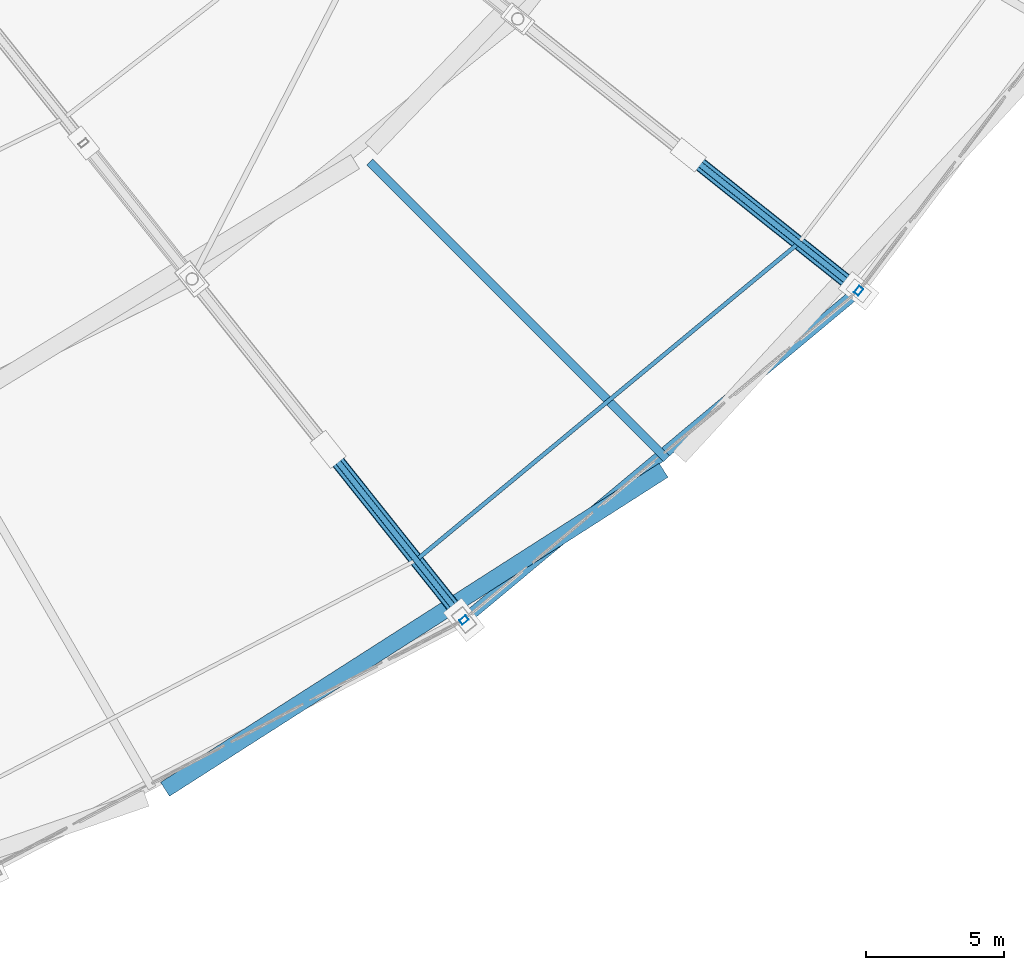
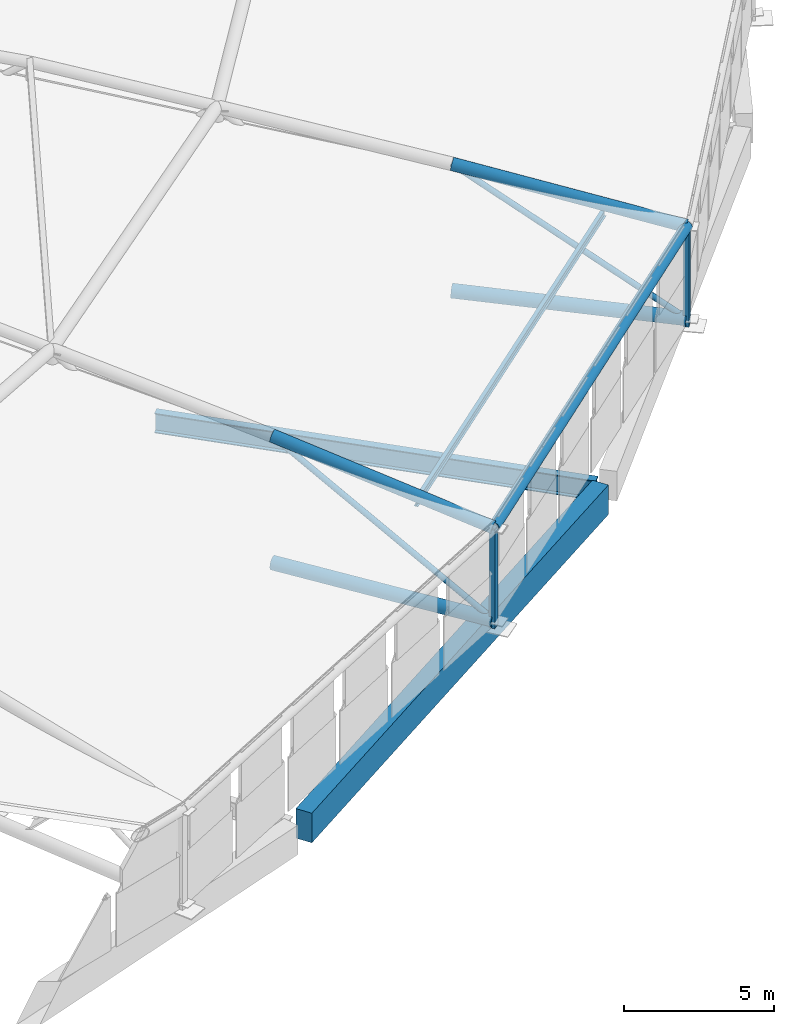
# One storey, part 60 of 108: 10 members, 2 beams.
"""IFC4 building model written with IfcOpenShell, lengths in metres."""

from ifc_helpers import new_model, si_unit, direction, frame, origin, origin_2d, place, context, subcontext, project, spatial, rectangle, hollow_rectangle, hollow_circle, i_section, extrude, material, material_profile, profile_set, type_object, element, save


model = new_model("IFC4")

# Units and contexts
model_context = context("Model", 3, precision=1e-05, world=origin(), true_north=direction((0.0, 1.0)))
body_context = subcontext(model_context, "Body", "Model", "MODEL_VIEW")
ifc_project = project(units=[si_unit("LENGTHUNIT", "METRE"), si_unit("AREAUNIT", "SQUARE_METRE"), si_unit("VOLUMEUNIT", "CUBIC_METRE"), si_unit("PLANEANGLEUNIT", "RADIAN"), si_unit("MASSUNIT", "GRAM", prefix="KILO")], contexts=[model_context])

# Site, building, storey
site_placement = place(None, origin())
site = spatial("IfcSite", under=ifc_project, at=site_placement, CompositionType="ELEMENT")
building_placement = place(site_placement, origin())
building = spatial("IfcBuilding", under=site, at=building_placement, Name="Zevraka Park Crest Stadium", CompositionType="ELEMENT")
storey_placement = place(building_placement, frame((0.0, 0.0, 29.39990234375)))
storey = spatial("IfcBuildingStorey", under=building, at=storey_placement, Name="RF", CompositionType="ELEMENT", Elevation=29.39990234375)

# Beam
ifc_material_1 = material(Name="Steel S355", Category="steel")
ifc_material_profile_1 = material_profile(ifc_material_1, i_section(OverallWidth=0.300048828125, OverallDepth=0.800048828125, WebThickness=0.017578125, FlangeThickness=0.032958984375, at=origin_2d()), Name="HEB 800")
ifc_profile_set_1 = profile_set([ifc_material_profile_1], Name="Steel S355")
beam_type_1 = type_object("IfcBeamType", Name="BG10", PredefinedType="BEAM", material=ifc_profile_set_1)
beam_1_placement = place(storey_placement, frame((164.89111328125, 49.715087890625, -0.534912109375), z_axis=(0.707130872727, -0.707082688826, 0.0), x_axis=(0.707082688826, 0.707130872727, 0.0)))
element("IfcBeam", 1, at=beam_1_placement, inside=storey, type_object=beam_type_1, Name="Radial Girder BG10 RF-BD-21", PredefinedType="BEAM", context=body_context, shape_type="SweptSolid", body=[
    extrude(i_section(OverallWidth=0.300048828125, OverallDepth=0.800048828125, WebThickness=0.017578125, FlangeThickness=0.032958984375, at=origin_2d()), origin(), (0.0, 0.0, 1.0), 15.200439453125),
])

# Member
ifc_material_2 = material(Name="Steel S355", Category="steel")
ifc_material_profile_2 = material_profile(ifc_material_2, i_section(OverallWidth=0.14990234375, OverallDepth=0.300048828125, WebThickness=0.007080078125, FlangeThickness=0.0107421875, at=origin_2d()), Name="IPE 300")
ifc_profile_set_2 = profile_set([ifc_material_profile_2], Name="Steel S355")
member_type_1 = type_object("IfcMemberType", Name="PR02", PredefinedType="PURLIN", material=ifc_profile_set_2)
member_1_placement = place(storey_placement, frame((166.570068359375, 35.298095703125, 4.287109375), z_axis=(0.769999473898, 0.638044520544, 0.0), x_axis=(-0.638044520544, 0.769999473898, 0.0)))
element("IfcMember", 2, at=member_1_placement, inside=storey, type_object=member_type_1, Name="Canopy Roof Purlin PR02 OUTER-25-1", PredefinedType="PURLIN", context=body_context, shape_type="SweptSolid", body=[
    extrude(i_section(OverallWidth=0.14990234375, OverallDepth=0.300048828125, WebThickness=0.007080078125, FlangeThickness=0.0107421875, at=origin_2d()), origin(), (0.0, 0.0, 1.0), 17.99853515625),
])

# Beam
ifc_material_3 = material(Name="Concrete C40/50", Category="concrete")
ifc_material_profile_3 = material_profile(ifc_material_3, rectangle(XDim=0.60009765625, YDim=1.199951171875, at=origin_2d()), Name="RC 1200x600")
ifc_profile_set_3 = profile_set([ifc_material_profile_3], Name="Concrete C40/50")
beam_type_2 = type_object("IfcBeamType", Name="RB01", PredefinedType="BEAM", material=ifc_profile_set_3)
beam_2_placement = place(storey_placement, frame((157.469970703125, 26.992919921875, -0.599853515625), z_axis=(0.842325571453, 0.538969045193, 0.0), x_axis=(-0.538969045193, 0.842325571453, 0.0)))
element("IfcBeam", 3, at=beam_2_placement, inside=storey, type_object=beam_type_2, Name="Ring Beam RB01 RF-D-20", PredefinedType="BEAM", context=body_context, shape_type="SweptSolid", body=[
    extrude(rectangle(XDim=0.60009765625, YDim=1.199951171875, at=origin_2d()), origin(), (0.0, 0.0, 1.0), 21.443115234375),
])

# Members
ifc_material_4 = material(Name="Steel S355", Category="steel")
ifc_material_profile_4 = material_profile(ifc_material_4, hollow_circle(Radius=0.25390625, WallThickness=0.030029296875, at=origin_2d()), Name="CHS 508.0x30")
ifc_profile_set_4 = profile_set([ifc_material_profile_4], Name="Steel S355")
member_type_2 = type_object("IfcMemberType", Name="TC01", PredefinedType="CHORD", material=ifc_profile_set_4)
member_2_placement = place(storey_placement, frame((168.301025390625, 33.1279296875, 0.25), z_axis=(-0.622967457685, 0.781326508049, 0.037953056337), x_axis=(-0.781889841529, -0.623416614884, 0.0)))
element("IfcMember", 4, at=member_2_placement, inside=storey, type_object=member_type_2, Name="Roof Truss Bottom Chord TC01 T25-1", PredefinedType="CHORD", context=body_context, shape_type="SweptSolid", body=[
    extrude(hollow_circle(Radius=0.25390625, WallThickness=0.030029296875, at=origin_2d()), origin(), (0.0, 0.0, 1.0), 7.90576171875),
])
member_3_placement = place(storey_placement, frame((182.59912109375, 45.051025390625, 0.25), z_axis=(-0.781218252924, 0.623103162005, 0.037953798191), x_axis=(-0.623552434629, -0.781781530396, 0.0)))
element("IfcMember", 5, at=member_3_placement, inside=storey, type_object=member_type_2, Name="Roof Truss Bottom Chord TC01 T26-1", PredefinedType="CHORD", context=body_context, shape_type="SweptSolid", body=[
    extrude(hollow_circle(Radius=0.25390625, WallThickness=0.030029296875, at=origin_2d()), origin(), (0.0, 0.0, 1.0), 7.905517578125),
])
ifc_material_5 = material(Name="Steel S355", Category="steel")
ifc_material_profile_5 = material_profile(ifc_material_5, hollow_circle(Radius=0.228515625, WallThickness=0.02490234375, at=origin_2d()), Name="CHS 457.0x25")
ifc_profile_set_5 = profile_set([ifc_material_profile_5], Name="Steel S355")
member_type_3 = type_object("IfcMemberType", Name="TC02", PredefinedType="CHORD", material=ifc_profile_set_5)
member_4_placement = place(storey_placement, frame((168.301025390625, 33.1279296875, 4.0), z_axis=(-0.609462360825, 0.764388399902, 0.210394878342), x_axis=(-0.781889841529, -0.623416614884, 0.0)))
element("IfcMember", 6, at=member_4_placement, inside=storey, type_object=member_type_3, Name="Roof Truss Top Chord TC02 T25-1", PredefinedType="CHORD", context=body_context, shape_type="SweptSolid", body=[
    extrude(hollow_circle(Radius=0.228515625, WallThickness=0.02490234375, at=origin_2d()), origin(), (0.0, 0.0, 1.0), 8.0810546875),
])
member_5_placement = place(storey_placement, frame((182.59912109375, 45.051025390625, 4.0), z_axis=(-0.764281850897, 0.609594612229, 0.21039881447), x_axis=(-0.623552434629, -0.781781530396, 0.0)))
element("IfcMember", 7, at=member_5_placement, inside=storey, type_object=member_type_3, Name="Roof Truss Top Chord TC02 T26-1", PredefinedType="CHORD", context=body_context, shape_type="SweptSolid", body=[
    extrude(hollow_circle(Radius=0.228515625, WallThickness=0.02490234375, at=origin_2d()), origin(), (0.0, 0.0, 1.0), 8.080810546875),
])
ifc_material_6 = material(Name="Steel S355", Category="steel")
ifc_material_profile_6 = material_profile(ifc_material_6, hollow_circle(Radius=0.203125, WallThickness=0.02001953125, at=origin_2d()), Name="CHS 406.4x20")
ifc_profile_set_6 = profile_set([ifc_material_profile_6], Name="Steel S355")
member_type_4 = type_object("IfcMemberType", Name="TC03", PredefinedType="CHORD", material=ifc_profile_set_6)
member_6_placement = place(storey_placement, frame((168.301025390625, 33.1279296875, 4.0), z_axis=(0.768009482008, 0.640438471319, 0.0), x_axis=(-0.640438471319, 0.768009482008, 0.0)))
element("IfcMember", 8, at=member_6_placement, inside=storey, type_object=member_type_4, Name="Roof Outer Canopy Ring Chord TC03 25", PredefinedType="CHORD", context=body_context, shape_type="SweptSolid", body=[
    extrude(hollow_circle(Radius=0.203125, WallThickness=0.02001953125, at=origin_2d()), origin(), (0.0, 0.0, 1.0), 18.6171875),
])
ifc_material_7 = material(Name="Steel S355", Category="steel")
ifc_material_profile_7 = material_profile(ifc_material_7, hollow_circle(Radius=0.109619140625, WallThickness=0.010009765625, at=origin_2d()), Name="CHS 219.1x10")
ifc_profile_set_7 = profile_set([ifc_material_profile_7], Name="Steel S355")
member_type_5 = type_object("IfcMemberType", Name="WB02", PredefinedType="BRACE", material=ifc_profile_set_7)
for number, where, z_axis, x_axis, name in (
    (9, (168.301025390625, 33.1279296875, 0.25), (-0.51314818539, 0.643591049351, 0.567863981096), (-0.781889841529, -0.623416614884, 0.0), "Roof Truss Web Diagonal WB02 T25-1"),
    (10, (182.59912109375, 45.051025390625, 0.25), (-0.643497834064, 0.513256741824, 0.56787151234), (-0.623552434629, -0.781781530396, 0.0), "Roof Truss Web Diagonal WB02 T26-1"),
):
    element("IfcMember", number, at=place(storey_placement, frame(where, z_axis=z_axis, x_axis=x_axis)), inside=storey, type_object=member_type_5, Name=name, PredefinedType="BRACE", context=body_context, shape_type="SweptSolid", body=[
        extrude(hollow_circle(Radius=0.109619140625, WallThickness=0.010009765625, at=origin_2d()), origin(), (0.0, 0.0, 1.0), 9.59765625),
    ])
ifc_material_8 = material(Name="Steel S355", Category="steel")
ifc_material_profile_8 = material_profile(ifc_material_8, hollow_rectangle(XDim=0.199951171875, YDim=0.300048828125, WallThickness=0.012451171875, at=origin_2d()), Name="RHS 300x200x12.5")
ifc_profile_set_8 = profile_set([ifc_material_profile_8], Name="Steel S355")
member_type_6 = type_object("IfcMemberType", Name="WB03", PredefinedType="BRACE", material=ifc_profile_set_8)
for number, where, z_axis, x_axis, name in (
    (11, (168.301025390625, 33.1279296875, 0.0), (0.0, 0.0, 1.0), (-0.623470308046, 0.781847027868, 0.0), "Roof Truss Anchor Strut WB03 T25-0"),
    (12, (182.59912109375, 45.051025390625, 0.0), (0.0, 0.0, 1.0), (-0.781847027868, 0.623470308046, 0.0), "Roof Truss Anchor Strut WB03 T26-0"),
):
    element("IfcMember", number, at=place(storey_placement, frame(where, z_axis=z_axis, x_axis=x_axis)), inside=storey, type_object=member_type_6, Name=name, PredefinedType="BRACE", context=body_context, shape_type="SweptSolid", body=[
        extrude(hollow_rectangle(XDim=0.199951171875, YDim=0.300048828125, WallThickness=0.012451171875, at=origin_2d()), origin(), (0.0, 0.0, 1.0), 4.0),
    ])

save(model, "model.ifc")
